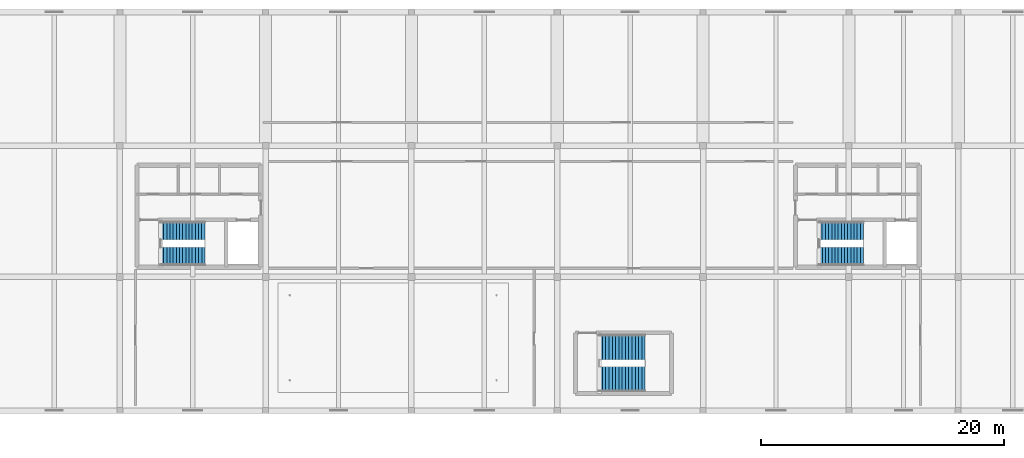
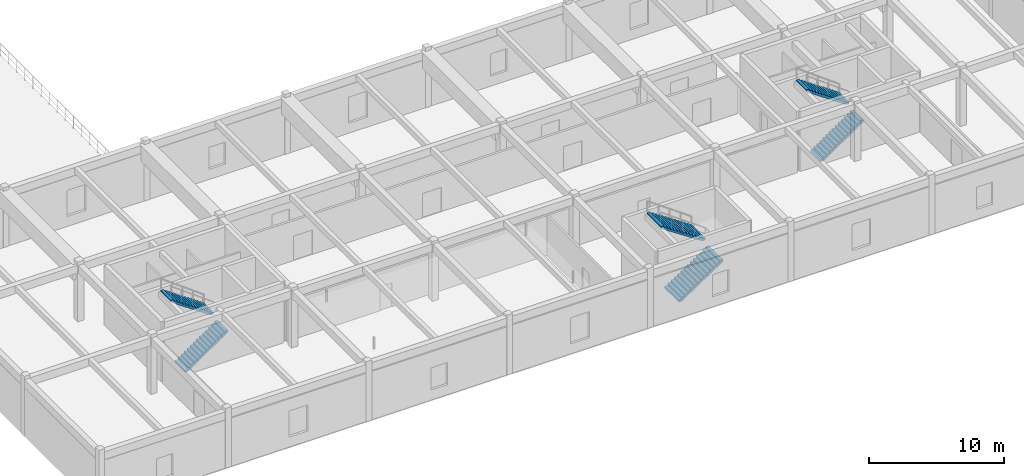
# One storey, part 88 of 97: 6 stair flights, 3 elements without a shape of their own.
"""IFC4 building model written with IfcOpenShell, lengths in metres."""

import ifcopenshell
import ifcopenshell.guid

model = None  # the IFC model being written
_history = None  # IfcOwnerHistory: only IFC2X3 demands one
_inside = {}  # id of a spatial element -> (the spatial element, [elements in it])
_under = {}  # id of a project, library or spatial element -> (it, [spatial elements below it])
_declared = {}  # id of a project -> (the project, [libraries it declares])
_typed = {}  # id of a type object -> (the type object, [elements of that type])
_made_of = {}  # id of a material, layer set ... -> (it, [elements and type objects made of it])


def new_model(schema):
    """Start an empty IFC model of exactly this schema.

    Asked for "IFC4X3", IfcOpenShell would pick the latest addendum, in which some entities
    have other attributes; the version numbers below select the first issue.
    IFC2X3 requires an IfcOwnerHistory on every rooted entity: one is made here for all.
    """
    global model, _history
    if schema == "IFC4X3":
        model = ifcopenshell.file(schema_version=(4, 3, 0, 0))
    else:
        model = ifcopenshell.file(schema=schema)
    _inside.clear()
    _under.clear()
    _declared.clear()
    _typed.clear()
    _made_of.clear()
    _history = None
    if model.schema == "IFC2X3":
        org = make("IfcOrganization", Name="unknown")
        user = make(
            "IfcPersonAndOrganization",
            ThePerson=make("IfcPerson", FamilyName="unknown"),
            TheOrganization=org,
        )
        app = make(
            "IfcApplication",
            ApplicationDeveloper=org,
            Version="unknown",
            ApplicationFullName="unknown",
            ApplicationIdentifier="unknown",
        )
        _history = make(
            "IfcOwnerHistory",
            OwningUser=user,
            OwningApplication=app,
            ChangeAction="ADDED",
            CreationDate=0,
        )
    return model


def make(cls, **values):
    """One entity of the class cls with the attributes given. An attribute that is None is left unset."""
    return model.create_entity(
        cls, **{name: value for name, value in values.items() if value is not None}
    )


def rooted(cls, **values):
    """An entity with a GlobalId (a new one), such as an element, a storey or a relation."""
    return make(cls, GlobalId=ifcopenshell.guid.new(), OwnerHistory=_history, **values)


def si_unit(unit_type, name, prefix=None):
    """IfcSIUnit, for example si_unit("LENGTHUNIT", "METRE", prefix="MILLI")."""
    return make("IfcSIUnit", UnitType=unit_type, Prefix=prefix, Name=name)


def derived_unit(unit_type, elements):
    """IfcDerivedUnit: a product of units, each with its exponent."""
    return make(
        "IfcDerivedUnit",
        Elements=[
            make("IfcDerivedUnitElement", Unit=unit, Exponent=power)
            for unit, power in elements
        ],
        UnitType=unit_type,
    )


def assignment(units):
    """IfcUnitAssignment: the units of a project."""
    return None if units is None else make("IfcUnitAssignment", Units=units)


def point(xyz):
    """IfcCartesianPoint."""
    return None if xyz is None else make("IfcCartesianPoint", Coordinates=xyz)


def direction(xyz):
    """IfcDirection."""
    return None if xyz is None else make("IfcDirection", DirectionRatios=xyz)


def frame(location, z_axis=None, x_axis=None):
    """IfcAxis2Placement3D, a coordinate frame: its origin and axes. An axis left out is left unset."""
    return make(
        "IfcAxis2Placement3D",
        Location=point(location),
        Axis=direction(z_axis),
        RefDirection=direction(x_axis),
    )


def origin():
    """The frame at (0, 0, 0) with its axes left unset."""
    return frame((0.0, 0.0, 0.0))


def place(relative_to, where):
    """IfcLocalPlacement: puts the frame where relative to a parent placement (None: the world)."""
    return make(
        "IfcLocalPlacement", PlacementRelTo=relative_to, RelativePlacement=where
    )


def context(
    kind, dimensions, precision=None, world=None, true_north=None, identifier=None
):
    """IfcGeometricRepresentationContext, for example the 3D "Model" context."""
    return make(
        "IfcGeometricRepresentationContext",
        ContextIdentifier=identifier,
        ContextType=kind,
        CoordinateSpaceDimension=dimensions,
        Precision=precision,
        WorldCoordinateSystem=world,
        TrueNorth=true_north,
    )


def subcontext(parent, identifier, kind, view, scale=None):
    """IfcGeometricRepresentationSubContext, for example "Body" below "Model"."""
    return make(
        "IfcGeometricRepresentationSubContext",
        ContextIdentifier=identifier,
        ContextType=kind,
        ParentContext=parent,
        TargetScale=scale,
        TargetView=view,
    )


def project(units=None, contexts=None):
    """IfcProject with its units and contexts."""
    return rooted(
        "IfcProject",
        Name="project",
        RepresentationContexts=contexts,
        UnitsInContext=assignment(units),
    )


def spatial(cls, under=None, at=None, **own):
    """A site, building, storey or space (cls), placed at a placement, below another one or the project."""
    s = rooted(cls, ObjectPlacement=at, **own)
    if under is not None:
        _under.setdefault(under.id(), (under, []))[1].append(s)
    return s


def polyline(points):
    """IfcPolyline through the points."""
    return make("IfcPolyline", Points=[point(p) for p in points])


def outline(outer, holes=None, kind="AREA"):
    """IfcArbitraryClosedProfileDef: a profile drawn as a closed curve; with holes, ...WithVoids."""
    if holes is None:
        return make("IfcArbitraryClosedProfileDef", ProfileType=kind, OuterCurve=outer)
    return make(
        "IfcArbitraryProfileDefWithVoids",
        ProfileType=kind,
        OuterCurve=outer,
        InnerCurves=holes,
    )


def extrude(swept, where, along, depth):
    """IfcExtrudedAreaSolid: the profile swept, set in the frame where, extruded along a direction by depth."""
    return make(
        "IfcExtrudedAreaSolid",
        SweptArea=swept,
        Position=where,
        ExtrudedDirection=direction(along),
        Depth=depth,
    )


def shape(context_of_items, identifier, shape_type, items):
    """IfcShapeRepresentation: the items that make up one representation, for example the "Body"."""
    return make(
        "IfcShapeRepresentation",
        ContextOfItems=context_of_items,
        RepresentationIdentifier=identifier,
        RepresentationType=shape_type,
        Items=items,
    )


def material(Name=None, Category=None):
    """IfcMaterial."""
    return make("IfcMaterial", Name=Name, Category=Category)


def made_of(thing, what):
    """Note that an element or type object is made of a material, layer set ...; save() writes the relation."""
    if what is not None:
        _made_of.setdefault(what.id(), (what, []))[1].append(thing)
    return thing


def type_object(cls, material=None, **own):
    """A type object (cls), such as IfcWallType, which elements share."""
    return made_of(rooted(cls, **own), material)


def element(
    cls,
    number,
    at=None,
    inside=None,
    cuts=None,
    type_object=None,
    material=None,
    context=None,
    identifier="Body",
    shape_type=None,
    held_by="IfcProductDefinitionShape",
    body=None,
    shapes=None,
    **own,
):
    """One element of the class cls, such as IfcWall. Its Tag is "e" and its number.

    at: its placement. inside: the storey or other place that contains it. cuts: it is an
    opening in that element (IfcRelVoidsElement). A single representation is given by context,
    identifier, shape_type and body (its items); several are given by shapes. held_by: the class
    of the entity that holds the representations. save() writes the other relations.
    """
    e = rooted(cls, Tag="e%d" % number, ObjectPlacement=at, **own)
    if body is not None:
        shapes = [shape(context, identifier, shape_type, body)]
    if shapes is not None:
        e.Representation = make(held_by, Representations=shapes)
    if inside is not None:
        _inside.setdefault(inside.id(), (inside, []))[1].append(e)
    if cuts is not None:
        rooted(
            "IfcRelVoidsElement", RelatingBuildingElement=cuts, RelatedOpeningElement=e
        )
    if type_object is not None:
        _typed.setdefault(type_object.id(), (type_object, []))[1].append(e)
    return made_of(e, material)


def aggregate(whole, parts):
    """IfcRelAggregates: a whole, such as a stair, and the parts it consists of."""
    return rooted("IfcRelAggregates", RelatingObject=whole, RelatedObjects=parts)


def save(model, path):
    """Write the relations noted so far, then the file.

    IfcRelAggregates (storeys below a building ...), IfcRelContainedInSpatialStructure (elements
    in a storey), IfcRelDefinesByType, IfcRelAssociatesMaterial and IfcRelDeclares: one each for
    every whole, place, type object, material and project.
    """
    for whole, parts in _under.values():
        aggregate(whole, parts)
    for where, things in _inside.values():
        rooted(
            "IfcRelContainedInSpatialStructure",
            RelatedElements=things,
            RelatingStructure=where,
        )
    for kind, things in _typed.values():
        rooted("IfcRelDefinesByType", RelatedObjects=things, RelatingType=kind)
    for what, things in _made_of.values():
        rooted("IfcRelAssociatesMaterial", RelatedObjects=things, RelatingMaterial=what)
    for by, libraries in _declared.values():
        rooted("IfcRelDeclares", RelatingContext=by, RelatedDefinitions=libraries)
    model.write(path)


model = new_model("IFC4")

# Units and contexts
model_context = context("Model", 3, precision=1e-05, world=origin(), true_north=direction((0.0, 1.0)))
body_context = subcontext(model_context, "Body", "Model", "MODEL_VIEW")
ifc_project = project(units=[si_unit("LENGTHUNIT", "METRE"), si_unit("AREAUNIT", "SQUARE_METRE"), si_unit("VOLUMEUNIT", "CUBIC_METRE"), si_unit("PLANEANGLEUNIT", "RADIAN"), si_unit("MASSUNIT", "GRAM", prefix="KILO"), derived_unit("THERMALTRANSMITTANCEUNIT", [(si_unit("POWERUNIT", "WATT"), 1), (si_unit("LENGTHUNIT", "METRE"), -2), (si_unit("THERMODYNAMICTEMPERATUREUNIT", "KELVIN"), -1)])], contexts=[model_context])

# Site, building, storey
site_placement = place(None, origin())
site = spatial("IfcSite", under=ifc_project, at=site_placement, CompositionType="ELEMENT")
building_placement = place(site_placement, origin())
building = spatial("IfcBuilding", under=site, at=building_placement, Name="Almenara Railside Exhibition Hall", CompositionType="ELEMENT")
storey_placement = place(building_placement, frame((0.0, 0.0, 10.800048828125)))
storey = spatial("IfcBuildingStorey", under=building, at=storey_placement, Name="L02", CompositionType="ELEMENT", Elevation=10.800048828125)

# Stair, stair flights
ifc_material = material(Name="Concrete C35/45", Category="concrete")
stair_type_1 = type_object("IfcStairType", Name="Core Dog-Leg Escape Stair 1520mm", PredefinedType="TWO_STRAIGHT_RUN_STAIR", material=ifc_material)
stair_1_placement = place(storey_placement, origin())
stair_1 = element("IfcStair", 1, at=stair_1_placement, inside=storey, type_object=stair_type_1, Name="Escape stair ST-C5-L02", PredefinedType="TWO_STRAIGHT_RUN_STAIR")
stair_flight_type_1 = type_object("IfcStairFlightType", Name="Precast Concrete Stair Flight 1520mm C35/45", PredefinedType="STRAIGHT", material=ifc_material)
stair_flight_1_placement = place(storey_placement, frame((129.35009765625, 12.699951171875, 0.0), z_axis=(0.0, 0.0, 1.0), x_axis=(1.0, 0.0, 0.0)))
stair_flight_1 = element("IfcStairFlight", 2, at=stair_flight_1_placement, type_object=stair_flight_type_1, Name="ST-C5-L02 flight 1", NumberOfRisers=15, NumberOfTreads=14, PredefinedType="STRAIGHT", RiserHeight=0.18, TreadLength=0.2607, context=body_context, shape_type="SweptSolid", body=[
    extrude(outline(polyline([(0.0, 0.0), (0.0, 0.179931640625), (0.2607421875, 0.179931640625), (0.2607421875, 0.360107421875), (0.521484375, 0.360107421875), (0.521484375, 0.5400390625), (0.781982421875, 0.5400390625), (0.781982421875, 0.719970703125), (1.042724609375, 0.719970703125), (1.042724609375, 0.89990234375), (1.303466796875, 0.89990234375), (1.303466796875, 1.080078125), (1.564208984375, 1.080078125), (1.564208984375, 1.260009765625), (1.824951171875, 1.260009765625), (1.824951171875, 1.43994140625), (2.085693359375, 1.43994140625), (2.085693359375, 1.6201171875), (2.34619140625, 1.6201171875), (2.34619140625, 1.800048828125), (2.60693359375, 1.800048828125), (2.60693359375, 1.97998046875), (2.86767578125, 1.97998046875), (2.86767578125, 2.159912109375), (3.12841796875, 2.159912109375), (3.12841796875, 2.340087890625), (3.38916015625, 2.340087890625), (3.38916015625, 2.52001953125), (3.64990234375, 2.52001953125), (3.64990234375, 2.699951171875), (3.64990234375, 2.337890625), (0.263916015625, 0.0), (0.0, 0.0)])), frame((0.0, 0.760009765625, 0.0), z_axis=(0.0, -1.0, 0.0), x_axis=(1.0, 0.0, 0.0)), (0.0, 0.0, 1.0), 1.52001953125),
])
stair_flight_2_placement = place(storey_placement, frame((132.999755859375, 14.800048828125, 2.699951171875), z_axis=(0.0, 0.0, 1.0), x_axis=(-1.0, 0.0, 0.0)))
stair_flight_2 = element("IfcStairFlight", 3, at=stair_flight_2_placement, type_object=stair_flight_type_1, Name="ST-C5-L02 flight 2", NumberOfRisers=15, NumberOfTreads=14, PredefinedType="STRAIGHT", RiserHeight=0.18, TreadLength=0.2607, context=body_context, shape_type="SweptSolid", body=[
    extrude(outline(polyline([(0.0, 0.0), (0.0, 0.179931640625), (0.2607421875, 0.179931640625), (0.2607421875, 0.360107421875), (0.521484375, 0.360107421875), (0.521484375, 0.5400390625), (0.781982421875, 0.5400390625), (0.781982421875, 0.719970703125), (1.042724609375, 0.719970703125), (1.042724609375, 0.89990234375), (1.303466796875, 0.89990234375), (1.303466796875, 1.080078125), (1.564208984375, 1.080078125), (1.564208984375, 1.260009765625), (1.824951171875, 1.260009765625), (1.824951171875, 1.43994140625), (2.085693359375, 1.43994140625), (2.085693359375, 1.6201171875), (2.34619140625, 1.6201171875), (2.34619140625, 1.800048828125), (2.60693359375, 1.800048828125), (2.60693359375, 1.97998046875), (2.86767578125, 1.97998046875), (2.86767578125, 2.159912109375), (3.12841796875, 2.159912109375), (3.12841796875, 2.340087890625), (3.38916015625, 2.340087890625), (3.38916015625, 2.52001953125), (3.64990234375, 2.52001953125), (3.64990234375, 2.699951171875), (3.64990234375, 2.337890625), (0.263916015625, 0.0), (0.0, 0.0)])), frame((0.0, 0.760009765625, 0.0), z_axis=(0.0, -1.0, 0.0), x_axis=(1.0, 0.0, 0.0)), (0.0, 0.0, 1.0), 1.52001953125),
])
aggregate(stair_1, [stair_flight_1, stair_flight_2])

stair_2_placement = place(storey_placement, origin())
stair_2 = element("IfcStair", 4, at=stair_2_placement, inside=storey, type_object=stair_type_1, Name="Escape stair ST-C6-L02", PredefinedType="TWO_STRAIGHT_RUN_STAIR")
stair_flight_3_placement = place(storey_placement, frame((183.550048828125, 12.699951171875, 0.0), z_axis=(0.0, 0.0, 1.0), x_axis=(1.0, 0.0, 0.0)))
stair_flight_3 = element("IfcStairFlight", 5, at=stair_flight_3_placement, type_object=stair_flight_type_1, Name="ST-C6-L02 flight 1", NumberOfRisers=15, NumberOfTreads=14, PredefinedType="STRAIGHT", RiserHeight=0.18, TreadLength=0.2607, context=body_context, shape_type="SweptSolid", body=[
    extrude(outline(polyline([(0.0, 0.0), (0.0, 0.179931640625), (0.2607421875, 0.179931640625), (0.2607421875, 0.360107421875), (0.521484375, 0.360107421875), (0.521484375, 0.5400390625), (0.781982421875, 0.5400390625), (0.781982421875, 0.719970703125), (1.042724609375, 0.719970703125), (1.042724609375, 0.89990234375), (1.303466796875, 0.89990234375), (1.303466796875, 1.080078125), (1.564208984375, 1.080078125), (1.564208984375, 1.260009765625), (1.824951171875, 1.260009765625), (1.824951171875, 1.43994140625), (2.085693359375, 1.43994140625), (2.085693359375, 1.6201171875), (2.34619140625, 1.6201171875), (2.34619140625, 1.800048828125), (2.60693359375, 1.800048828125), (2.60693359375, 1.97998046875), (2.86767578125, 1.97998046875), (2.86767578125, 2.159912109375), (3.12841796875, 2.159912109375), (3.12841796875, 2.340087890625), (3.38916015625, 2.340087890625), (3.38916015625, 2.52001953125), (3.64990234375, 2.52001953125), (3.64990234375, 2.699951171875), (3.64990234375, 2.337890625), (0.263916015625, 0.0), (0.0, 0.0)])), frame((0.0, 0.760009765625, 0.0), z_axis=(0.0, -1.0, 0.0), x_axis=(1.0, 0.0, 0.0)), (0.0, 0.0, 1.0), 1.52001953125),
])
stair_flight_4_placement = place(storey_placement, frame((187.19970703125, 14.800048828125, 2.699951171875), z_axis=(0.0, 0.0, 1.0), x_axis=(-1.0, 0.0, 0.0)))
stair_flight_4 = element("IfcStairFlight", 6, at=stair_flight_4_placement, type_object=stair_flight_type_1, Name="ST-C6-L02 flight 2", NumberOfRisers=15, NumberOfTreads=14, PredefinedType="STRAIGHT", RiserHeight=0.18, TreadLength=0.2607, context=body_context, shape_type="SweptSolid", body=[
    extrude(outline(polyline([(0.0, 0.0), (0.0, 0.179931640625), (0.2607421875, 0.179931640625), (0.2607421875, 0.360107421875), (0.521484375, 0.360107421875), (0.521484375, 0.5400390625), (0.781982421875, 0.5400390625), (0.781982421875, 0.719970703125), (1.042724609375, 0.719970703125), (1.042724609375, 0.89990234375), (1.303466796875, 0.89990234375), (1.303466796875, 1.080078125), (1.564208984375, 1.080078125), (1.564208984375, 1.260009765625), (1.824951171875, 1.260009765625), (1.824951171875, 1.43994140625), (2.085693359375, 1.43994140625), (2.085693359375, 1.6201171875), (2.34619140625, 1.6201171875), (2.34619140625, 1.800048828125), (2.60693359375, 1.800048828125), (2.60693359375, 1.97998046875), (2.86767578125, 1.97998046875), (2.86767578125, 2.159912109375), (3.12841796875, 2.159912109375), (3.12841796875, 2.340087890625), (3.38916015625, 2.340087890625), (3.38916015625, 2.52001953125), (3.64990234375, 2.52001953125), (3.64990234375, 2.699951171875), (3.64990234375, 2.337890625), (0.263916015625, 0.0), (0.0, 0.0)])), frame((0.0, 0.760009765625, 0.0), z_axis=(0.0, -1.0, 0.0), x_axis=(1.0, 0.0, 0.0)), (0.0, 0.0, 1.0), 1.52001953125),
])
aggregate(stair_2, [stair_flight_3, stair_flight_4])

stair_type_2 = type_object("IfcStairType", Name="Hall Escape Dog-Leg Stair 2100mm", PredefinedType="TWO_STRAIGHT_RUN_STAIR", material=ifc_material)
stair_3_placement = place(storey_placement, origin())
stair_3 = element("IfcStair", 7, at=stair_3_placement, inside=storey, type_object=stair_type_2, Name="Escape stair HST4-L02", PredefinedType="TWO_STRAIGHT_RUN_STAIR")
stair_flight_type_2 = type_object("IfcStairFlightType", Name="Precast Concrete Stair Flight 2100mm C35/45", PredefinedType="STRAIGHT", material=ifc_material)
stair_flight_5_placement = place(storey_placement, frame((165.449951171875, 2.590087890625, 0.0), z_axis=(0.0, 0.0, 1.0), x_axis=(1.0, 0.0, 0.0)))
stair_flight_5 = element("IfcStairFlight", 8, at=stair_flight_5_placement, type_object=stair_flight_type_2, Name="HST4-L02 flight 1", NumberOfRisers=15, NumberOfTreads=14, PredefinedType="STRAIGHT", RiserHeight=0.18, TreadLength=0.27, context=body_context, shape_type="SweptSolid", body=[
    extrude(outline(polyline([(0.0, 0.0), (0.0, 0.179931640625), (0.27001953125, 0.179931640625), (0.27001953125, 0.360107421875), (0.5400390625, 0.360107421875), (0.5400390625, 0.5400390625), (0.81005859375, 0.5400390625), (0.81005859375, 0.719970703125), (1.080078125, 0.719970703125), (1.080078125, 0.89990234375), (1.35009765625, 0.89990234375), (1.35009765625, 1.080078125), (1.6201171875, 1.080078125), (1.6201171875, 1.260009765625), (1.889892578125, 1.260009765625), (1.889892578125, 1.43994140625), (2.159912109375, 1.43994140625), (2.159912109375, 1.6201171875), (2.429931640625, 1.6201171875), (2.429931640625, 1.800048828125), (2.699951171875, 1.800048828125), (2.699951171875, 1.97998046875), (2.969970703125, 1.97998046875), (2.969970703125, 2.159912109375), (3.239990234375, 2.159912109375), (3.239990234375, 2.340087890625), (3.510009765625, 2.340087890625), (3.510009765625, 2.52001953125), (3.780029296875, 2.52001953125), (3.780029296875, 2.699951171875), (3.780029296875, 2.33984375), (0.270263671875, 0.0), (0.0, 0.0)])), frame((0.0, 1.050048828125, 0.0), z_axis=(0.0, -1.0, 0.0), x_axis=(1.0, 0.0, 0.0)), (0.0, 0.0, 1.0), 2.10009765625),
])
stair_flight_6_placement = place(storey_placement, frame((169.22998046875, 5.2099609375, 2.699951171875), z_axis=(0.0, 0.0, 1.0), x_axis=(-1.0, 0.0, 0.0)))
stair_flight_6 = element("IfcStairFlight", 9, at=stair_flight_6_placement, type_object=stair_flight_type_2, Name="HST4-L02 flight 2", NumberOfRisers=15, NumberOfTreads=14, PredefinedType="STRAIGHT", RiserHeight=0.18, TreadLength=0.27, context=body_context, shape_type="SweptSolid", body=[
    extrude(outline(polyline([(0.0, 0.0), (0.0, 0.179931640625), (0.27001953125, 0.179931640625), (0.27001953125, 0.360107421875), (0.5400390625, 0.360107421875), (0.5400390625, 0.5400390625), (0.81005859375, 0.5400390625), (0.81005859375, 0.719970703125), (1.080078125, 0.719970703125), (1.080078125, 0.89990234375), (1.35009765625, 0.89990234375), (1.35009765625, 1.080078125), (1.6201171875, 1.080078125), (1.6201171875, 1.260009765625), (1.889892578125, 1.260009765625), (1.889892578125, 1.43994140625), (2.159912109375, 1.43994140625), (2.159912109375, 1.6201171875), (2.429931640625, 1.6201171875), (2.429931640625, 1.800048828125), (2.699951171875, 1.800048828125), (2.699951171875, 1.97998046875), (2.969970703125, 1.97998046875), (2.969970703125, 2.159912109375), (3.239990234375, 2.159912109375), (3.239990234375, 2.340087890625), (3.510009765625, 2.340087890625), (3.510009765625, 2.52001953125), (3.780029296875, 2.52001953125), (3.780029296875, 2.699951171875), (3.780029296875, 2.33984375), (0.270263671875, 0.0), (0.0, 0.0)])), frame((0.0, 1.050048828125, 0.0), z_axis=(0.0, -1.0, 0.0), x_axis=(1.0, 0.0, 0.0)), (0.0, 0.0, 1.0), 2.10009765625),
])
aggregate(stair_3, [stair_flight_5, stair_flight_6])

save(model, "model.ifc")
